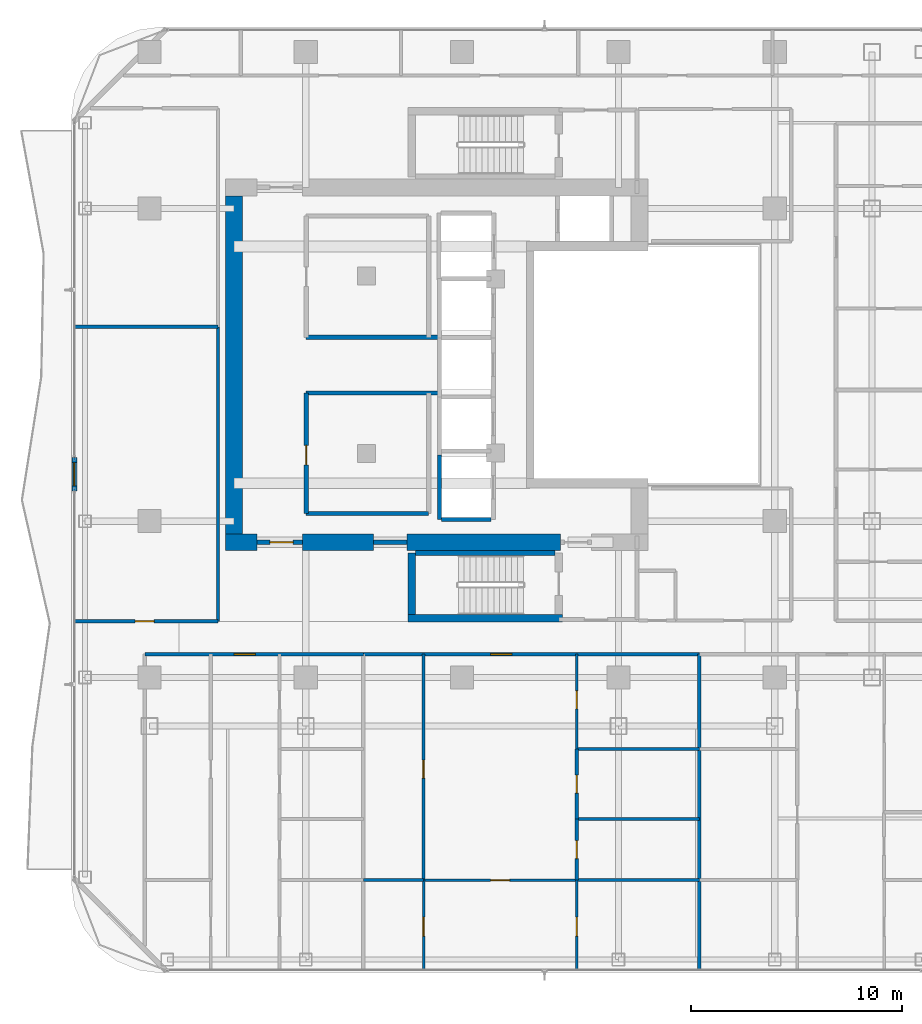
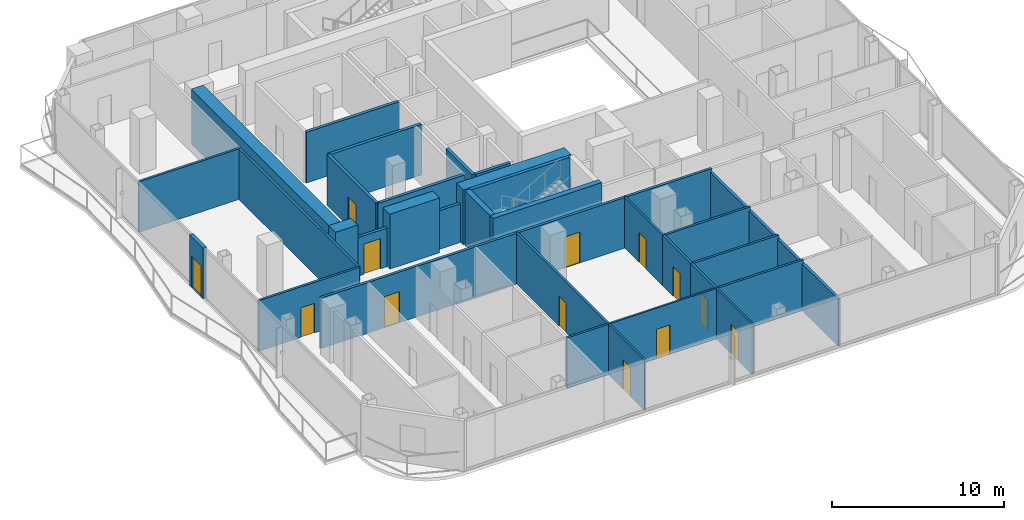
# One storey, part 20 of 27: 33 walls, 13 doors, 13 openings.
"""IFC4 building model written with IfcOpenShell, lengths in metres."""

from ifc_helpers import new_model, si_unit, direction, frame, frame_2d, origin, place, context, subcontext, project, spatial, rectangle, extrude, material, layer, layer_set, type_object, element, fill, save


model = new_model("IFC4")

# Units and contexts
model_context = context("Model", 3, precision=1e-05, world=origin(), true_north=direction((0.0, 1.0)))
body_context = subcontext(model_context, "Body", "Model", "MODEL_VIEW")
ifc_project = project(units=[si_unit("LENGTHUNIT", "METRE"), si_unit("AREAUNIT", "SQUARE_METRE"), si_unit("VOLUMEUNIT", "CUBIC_METRE"), si_unit("PLANEANGLEUNIT", "RADIAN"), si_unit("MASSUNIT", "GRAM", prefix="KILO")], contexts=[model_context])

# Site, building, storey
site_placement = place(None, origin())
site = spatial("IfcSite", under=ifc_project, at=site_placement, CompositionType="ELEMENT")
building_placement = place(site_placement, origin())
building = spatial("IfcBuilding", under=site, at=building_placement, Name="Khorvyn Point Tower", CompositionType="ELEMENT")
storey_placement = place(building_placement, frame((0.0, 0.0, 231.300048828125)))
storey = spatial("IfcBuildingStorey", under=building, at=storey_placement, Name="L57", CompositionType="ELEMENT", Elevation=231.300048828125)

# Wall, opening, door
ifc_material_1 = material(Name="Double acoustic gypsum on twin steel stud", Category="steel")
ifc_layer_1 = layer(ifc_material_1, 0.179931640625)
ifc_layer_set_1 = layer_set([ifc_layer_1], Name="Acoustic Double-Stud Apartment Demising Wall 180")
wall_type_1 = type_object("IfcWallType", Name="Acoustic Double-Stud Apartment Demising Wall 180", PredefinedType="PARTITIONING", material=ifc_layer_set_1)
wall_1_placement = place(storey_placement, frame((-15.02001953125, -13.699951171875, 0.0), z_axis=(0.0, 0.0, 1.0), x_axis=(1.0, 0.0, 0.0)))
wall_1 = element("IfcWall", 1, at=wall_1_placement, inside=storey, type_object=wall_type_1, Name="Wall", PredefinedType="PARTITIONING", context=body_context, shape_type="SweptSolid", body=[
    extrude(rectangle(XDim=10.343017578125, YDim=0.179931640625, at=frame_2d((5.17138671875, 0.0))), origin(), (0.0, 0.0, 1.0), 3.599853515625),
])
opening_1_placement = place(wall_1_placement, frame((4.229248046875, 0.0, 0.0)))
opening_1 = element("IfcOpeningElement", 2, at=opening_1_placement, cuts=wall_1, Name="Opening ID-AP60", PredefinedType="OPENING", context=body_context, shape_type="SweptSolid", body=[
    extrude(rectangle(XDim=1.0, YDim=2.199951171875, at=frame_2d((0.5, 1.10009765625))), frame((0.0, 0.099853515625, 0.0), z_axis=(0.0, -1.0, 0.0), x_axis=(1.0, 0.0, 0.0)), (0.0, 0.0, 1.0), 0.199951171875),
])
ifc_material_2 = material(Name="Engineered hardwood fire-rated leaf", Category="wood")
door_type_1 = type_object("IfcDoorType", Name="Acoustic Solid-Core Timber Apartment Entrance Door 1000x2200", OperationType="NOTDEFINED", PredefinedType="DOOR", material=ifc_material_2)
door_1_placement = place(opening_1_placement, origin())
door_1 = element("IfcDoor", 3, at=door_1_placement, inside=storey, type_object=door_type_1, Name="Door", OperationType="SINGLE_SWING_RIGHT", OverallHeight=2.199951171875, OverallWidth=1.0, PredefinedType="DOOR", context=body_context, shape_type="SweptSolid", body=[
    extrude(rectangle(XDim=1.0, YDim=2.199951171875, at=frame_2d((0.5, 1.10009765625))), frame((0.0, 0.02490234375, 0.0), z_axis=(0.0, -1.0, 0.0), x_axis=(1.0, 0.0, 0.0)), (0.0, 0.0, 1.0), 0.050048828125),
])
fill(opening_1, door_1)

wall_2_placement = place(storey_placement, frame((-4.677001953125, -13.699951171875, 0.0), z_axis=(0.0, 0.0, 1.0), x_axis=(1.0, 0.0, 0.0)))
wall_2 = element("IfcWall", 4, at=wall_2_placement, inside=storey, type_object=wall_type_1, Name="Wall", PredefinedType="PARTITIONING", context=body_context, shape_type="SweptSolid", body=[
    extrude(rectangle(XDim=15.905029296875, YDim=0.179931640625, at=frame_2d((7.95263671875, 0.0))), origin(), (0.0, 0.0, 1.0), 3.599853515625),
])
opening_2_placement = place(wall_2_placement, frame((6.029541015625, 0.0, 0.0)))
opening_2 = element("IfcOpeningElement", 5, at=opening_2_placement, cuts=wall_2, Name="Opening ID-AP60", PredefinedType="OPENING", context=body_context, shape_type="SweptSolid", body=[
    extrude(rectangle(XDim=1.0, YDim=2.199951171875, at=frame_2d((0.5, 1.10009765625))), frame((0.0, 0.099853515625, 0.0), z_axis=(0.0, -1.0, 0.0), x_axis=(1.0, 0.0, 0.0)), (0.0, 0.0, 1.0), 0.199951171875),
])
door_2_placement = place(opening_2_placement, origin())
door_2 = element("IfcDoor", 6, at=door_2_placement, inside=storey, type_object=door_type_1, Name="Door", OperationType="SINGLE_SWING_LEFT", OverallHeight=2.199951171875, OverallWidth=1.0, PredefinedType="DOOR", context=body_context, shape_type="SweptSolid", body=[
    extrude(rectangle(XDim=1.0, YDim=2.199951171875, at=frame_2d((0.5, 1.10009765625))), frame((0.0, 0.02490234375, 0.0), z_axis=(0.0, -1.0, 0.0), x_axis=(1.0, 0.0, 0.0)), (0.0, 0.0, 1.0), 0.050048828125),
])
fill(opening_2, door_2)

# Wall
wall_3_placement = place(storey_placement, frame((11.22802734375, -28.6298828125, 0.0), z_axis=(0.0, 0.0, 1.0), x_axis=(0.0, 1.0, 0.0)))
element("IfcWall", 7, at=wall_3_placement, inside=storey, type_object=wall_type_1, Name="Wall", PredefinedType="PARTITIONING", context=body_context, shape_type="SweptSolid", body=[
    extrude(rectangle(XDim=14.929931640625, YDim=0.179931640625, at=frame_2d((7.46484375, 0.0))), origin(), (0.0, 0.0, 1.0), 3.33984375),
])

# Wall, opening, door
ifc_material_3 = material(Name="Pale anodised aluminium rainscreen on steel stud", Category="steel")
ifc_layer_2 = layer(ifc_material_3, 0.239990234375)
ifc_layer_set_2 = layer_set([ifc_layer_2], Name="Anodised Aluminium Insulated Corner Spandrel Wall 240")
wall_type_2 = type_object("IfcWallType", Name="Anodised Aluminium Insulated Corner Spandrel Wall 240", PredefinedType="SOLIDWALL", material=ifc_layer_set_2)
wall_4_placement = place(storey_placement, frame((-18.35009765625, -5.969970703125, 0.0), z_axis=(0.0, 0.0, 1.0), x_axis=(0.0, 1.0, 0.0)))
wall_4 = element("IfcWall", 8, at=wall_4_placement, inside=storey, type_object=wall_type_2, Name="L57 West Outdoor Threshold Wall", PredefinedType="SOLIDWALL", context=body_context, shape_type="SweptSolid", body=[
    extrude(rectangle(XDim=1.580078125, YDim=0.239990234375, at=frame_2d((0.7900390625, 0.0))), origin(), (0.0, 0.0, 1.0), 3.599853515625),
])
opening_3_placement = place(wall_4_placement, frame((0.239990234375, 0.0, 0.0)))
opening_3 = element("IfcOpeningElement", 9, at=opening_3_placement, cuts=wall_4, Name="Opening BD-1122", PredefinedType="OPENING", context=body_context, shape_type="SweptSolid", body=[
    extrude(rectangle(XDim=1.10009765625, YDim=2.199951171875, at=frame_2d((0.550048828125, 1.10009765625))), frame((0.0, 0.1298828125, 0.0), z_axis=(0.0, -1.0, 0.0), x_axis=(1.0, 0.0, 0.0)), (0.0, 0.0, 1.0), 0.260009765625),
])
ifc_material_4 = material(Name="Anodised aluminium 6063-T6 and laminated Low-E glass", Category="aluminium")
door_type_2 = type_object("IfcDoorType", Name="Glazed Balcony and Terrace Threshold Door 1100x2200", OperationType="NOTDEFINED", PredefinedType="DOOR", material=ifc_material_4)
door_3_placement = place(opening_3_placement, origin())
door_3 = element("IfcDoor", 10, at=door_3_placement, inside=storey, type_object=door_type_2, Name="L57 West Glazed Balcony Outdoor Door", OperationType="SINGLE_SWING_RIGHT", OverallHeight=2.199951171875, OverallWidth=1.10009765625, PredefinedType="DOOR", context=body_context, shape_type="SweptSolid", body=[
    extrude(rectangle(XDim=1.10009765625, YDim=2.199951171875, at=frame_2d((0.550048828125, 1.10009765625))), frame((0.0, 0.02490234375, 0.0), z_axis=(0.0, -1.0, 0.0), x_axis=(1.0, 0.0, 0.0)), (0.0, 0.0, 1.0), 0.050048828125),
])
fill(opening_3, door_3)

ifc_material_5 = material(Name="Concrete C40/50", Category="concrete")
ifc_layer_3 = layer(ifc_material_5, 0.199951171875)
ifc_layer_set_3 = layer_set([ifc_layer_3], Name="Concrete C40/50 Fire-Lobby Compartment Wall 200")
wall_type_3 = type_object("IfcWallType", Name="Concrete C40/50 Fire-Lobby Compartment Wall 200", PredefinedType="SOLIDWALL", material=ifc_layer_set_3)
wall_5_placement = place(storey_placement, frame((-9.699951171875, -8.39990234375, 0.0), z_axis=(0.0, 0.0, 1.0), x_axis=(1.0, 0.0, 0.0)))
wall_5 = element("IfcWall", 11, at=wall_5_placement, inside=storey, type_object=wall_type_3, Name="Wall", PredefinedType="SOLIDWALL", context=body_context, shape_type="SweptSolid", body=[
    extrude(rectangle(XDim=2.14990234375, YDim=0.199951171875, at=frame_2d((1.074951171875, 0.0))), origin(), (0.0, 0.0, 1.0), 2.739990234375),
])
opening_4_placement = place(wall_5_placement, frame((0.597900390625, 0.0, 0.0)))
opening_4 = element("IfcOpeningElement", 12, at=opening_4_placement, cuts=wall_5, Name="Opening ID-FL90", PredefinedType="OPENING", context=body_context, shape_type="SweptSolid", body=[
    extrude(rectangle(XDim=1.10009765625, YDim=2.14990234375, at=frame_2d((0.550048828125, 1.074951171875))), frame((0.0, 0.10986328125, 0.0), z_axis=(0.0, -1.0, 0.0), x_axis=(1.0, 0.0, 0.0)), (0.0, 0.0, 1.0), 0.219970703125),
])
ifc_material_6 = material(Name="Galvanised powder-coated steel", Category="steel")
door_type_3 = type_object("IfcDoorType", Name="Fire-Rated Steel Lobby and Stair Door 1100x2150", OperationType="NOTDEFINED", PredefinedType="DOOR", material=ifc_material_6)
door_4_placement = place(opening_4_placement, origin())
door_4 = element("IfcDoor", 13, at=door_4_placement, inside=storey, type_object=door_type_3, Name="Door", OperationType="SINGLE_SWING_RIGHT", OverallHeight=2.14990234375, OverallWidth=1.10009765625, PredefinedType="DOOR", context=body_context, shape_type="SweptSolid", body=[
    extrude(rectangle(XDim=1.10009765625, YDim=2.14990234375, at=frame_2d((0.550048828125, 1.074951171875))), frame((0.0, 0.02490234375, 0.0), z_axis=(0.0, -1.0, 0.0), x_axis=(1.0, 0.0, 0.0)), (0.0, 0.0, 1.0), 0.050048828125),
])
fill(opening_4, door_4)

wall_6_placement = place(storey_placement, frame((-7.3798828125, -7.0400390625, 0.0), z_axis=(0.0, 0.0, 1.0), x_axis=(0.0, 1.0, 0.0)))
wall_6 = element("IfcWall", 14, at=wall_6_placement, inside=storey, type_object=wall_type_3, Name="Wall", PredefinedType="SOLIDWALL", context=body_context, shape_type="SweptSolid", body=[
    extrude(rectangle(XDim=5.699951171875, YDim=0.199951171875, at=frame_2d((2.85009765625, 0.0))), origin(), (0.0, 0.0, 1.0), 3.599853515625),
])
opening_5_placement = place(wall_6_placement, frame((2.30078125, 0.0, 0.0)))
opening_5 = element("IfcOpeningElement", 15, at=opening_5_placement, cuts=wall_6, Name="Opening ID-RS60", PredefinedType="OPENING", context=body_context, shape_type="SweptSolid", body=[
    extrude(rectangle(XDim=0.919921875, YDim=2.10009765625, at=frame_2d((0.4599609375, 1.050048828125))), frame((0.0, 0.10986328125, 0.0), z_axis=(0.0, -1.0, 0.0), x_axis=(1.0, 0.0, 0.0)), (0.0, 0.0, 1.0), 0.219970703125),
])
door_type_4 = type_object("IfcDoorType", Name="Fire-Rated Riser and Store Steel Door 920x2100", OperationType="NOTDEFINED", PredefinedType="DOOR", material=ifc_material_6)
door_5_placement = place(opening_5_placement, origin())
door_5 = element("IfcDoor", 16, at=door_5_placement, inside=storey, type_object=door_type_4, Name="Door", OperationType="SINGLE_SWING_RIGHT", OverallHeight=2.10009765625, OverallWidth=0.919921875, PredefinedType="DOOR", context=body_context, shape_type="SweptSolid", body=[
    extrude(rectangle(XDim=0.919921875, YDim=2.10009765625, at=frame_2d((0.4599609375, 1.050048828125))), frame((0.0, 0.02490234375, 0.0), z_axis=(0.0, -1.0, 0.0), x_axis=(1.0, 0.0, 0.0)), (0.0, 0.0, 1.0), 0.050048828125),
])
fill(opening_5, door_5)

# Walls
wall_7_placement = place(storey_placement, frame((-4.199951171875, -8.39990234375, 0.0), z_axis=(0.0, 0.0, 1.0), x_axis=(1.0, 0.0, 0.0)))
element("IfcWall", 17, at=wall_7_placement, inside=storey, type_object=wall_type_3, Name="Wall", PredefinedType="SOLIDWALL", context=body_context, shape_type="SweptSolid", body=[
    extrude(rectangle(XDim=1.579833984375, YDim=0.199951171875, at=frame_2d((0.7900390625, 0.0))), origin(), (0.0, 0.0, 1.0), 2.739990234375),
])
for number, where, z_axis, x_axis, name in (
    (18, (-7.3798828125, -1.340087890625, 0.0), (0.0, 0.0, 1.0), (1.0, 0.0, 0.0), "Wall"),
    (19, (-7.3798828125, 1.300048828125, 0.0), (0.0, 0.0, 1.0), (1.0, 0.0, 0.0), "Wall"),
):
    element("IfcWall", number, at=place(storey_placement, frame(where, z_axis=z_axis, x_axis=x_axis)), inside=storey, type_object=wall_type_3, Name=name, PredefinedType="SOLIDWALL", context=body_context, shape_type="SweptSolid", body=[
        extrude(rectangle(XDim=6.239990234375, YDim=0.199951171875, at=frame_2d((3.1201171875, 0.0))), origin(), (0.0, 0.0, 1.0), 3.599853515625),
    ])
wall_8_placement = place(storey_placement, frame((-7.3798828125, -7.0400390625, 0.0), z_axis=(0.0, 0.0, 1.0), x_axis=(1.0, 0.0, 0.0)))
element("IfcWall", 20, at=wall_8_placement, inside=storey, type_object=wall_type_3, Name="Wall", PredefinedType="SOLIDWALL", context=body_context, shape_type="SweptSolid", body=[
    extrude(rectangle(XDim=5.7998046875, YDim=0.199951171875, at=frame_2d((2.89990234375, 0.0))), origin(), (0.0, 0.0, 1.0), 3.599853515625),
])
ifc_layer_4 = layer(ifc_material_5, 0.25)
ifc_layer_set_4 = layer_set([ifc_layer_4], Name="Concrete C40/50 Stair Inner Cheek Structural Wall 250")
wall_type_4 = type_object("IfcWallType", Name="Concrete C40/50 Stair Inner Cheek Structural Wall 250", PredefinedType="SHEAR", material=ifc_layer_set_4)
wall_9_placement = place(storey_placement, frame((-2.199951171875, -8.91259765625, 0.0), z_axis=(0.0, 0.0, 1.0), x_axis=(1.0, 0.0, 0.0)))
element("IfcWall", 21, at=wall_9_placement, inside=storey, type_object=wall_type_4, Name="Wall", PredefinedType="SHEAR", context=body_context, shape_type="SweptSolid", body=[
    extrude(rectangle(XDim=6.599853515625, YDim=0.22509765625, at=frame_2d((3.2998046875, 0.0))), origin(), (0.0, 0.0, 1.0), 3.89990234375),
])
ifc_layer_5 = layer(ifc_material_5, 0.35009765625)
ifc_layer_set_5 = layer_set([ifc_layer_5], Name="Concrete C40/50 Stair Shaft Structural Wall 350")
wall_type_5 = type_object("IfcWallType", Name="Concrete C40/50 Stair Shaft Structural Wall 350", PredefinedType="SHEAR", material=ifc_layer_set_5)
wall_10_placement = place(storey_placement, frame((-2.554931640625, -12.0, 0.0), z_axis=(0.0, 0.0, 1.0), x_axis=(1.0, 0.0, 0.0)))
element("IfcWall", 22, at=wall_10_placement, inside=storey, type_object=wall_type_5, Name="L57 ST-01 South Shaft Wall", PredefinedType="SHEAR", context=body_context, shape_type="SweptSolid", body=[
    extrude(rectangle(XDim=7.309814453125, YDim=0.35009765625, at=frame_2d((3.65478515625, 0.0))), origin(), (0.0, 0.0, 1.0), 3.89990234375),
])
wall_11_placement = place(storey_placement, frame((-2.3798828125, -11.824951171875, 0.0), z_axis=(0.0, 0.0, 1.0), x_axis=(0.0, 1.0, 0.0)))
element("IfcWall", 23, at=wall_11_placement, inside=storey, type_object=wall_type_5, Name="L57 ST-01 West Shaft Wall", PredefinedType="SHEAR", context=body_context, shape_type="SweptSolid", body=[
    extrude(rectangle(XDim=2.925048828125, YDim=0.35009765625, at=frame_2d((1.46240234375, 0.0))), origin(), (0.0, 0.0, 1.0), 3.89990234375),
])
ifc_layer_6 = layer(ifc_material_5, 0.199951171875)
ifc_layer_set_6 = layer_set([ifc_layer_6], Name="Concrete C40/50 Structural Hoistway and Stair Shaft Wall 200")
wall_type_6 = type_object("IfcWallType", Name="Concrete C40/50 Structural Hoistway and Stair Shaft Wall 200", PredefinedType="SHEAR", material=ifc_layer_set_6)
wall_12_placement = place(storey_placement, frame((-1.074951171875, -7.324951171875, 0.0), z_axis=(0.0, 0.0, 1.0), x_axis=(0.0, 1.0, 0.0)))
element("IfcWall", 24, at=wall_12_placement, inside=storey, type_object=wall_type_6, Name="Wall", PredefinedType="SHEAR", context=body_context, shape_type="SweptSolid", body=[
    extrude(rectangle(XDim=3.050048828125, YDim=0.199951171875, at=frame_2d((1.52490234375, 0.0))), origin(), (0.0, 0.0, 1.0), 3.599853515625),
])
wall_13_placement = place(storey_placement, frame((-0.97509765625, -7.324951171875, 0.0), z_axis=(0.0, 0.0, 1.0), x_axis=(1.0, 0.0, 0.0)))
element("IfcWall", 25, at=wall_13_placement, inside=storey, type_object=wall_type_6, Name="Wall", PredefinedType="SHEAR", context=body_context, shape_type="SweptSolid", body=[
    extrude(rectangle(XDim=2.35009765625, YDim=0.199951171875, at=frame_2d((1.175048828125, 0.0))), origin(), (0.0, 0.0, 1.0), 3.599853515625),
])
ifc_material_7 = material(Name="Concrete C45/55", Category="concrete")
ifc_layer_7 = layer(ifc_material_7, 0.800048828125)
ifc_layer_set_7 = layer_set([ifc_layer_7], Name="Concrete C45/55 Core Shear Wall 800")
wall_type_7 = type_object("IfcWallType", Name="Concrete C45/55 Core Shear Wall 800", PredefinedType="SHEAR", material=ifc_layer_set_7)
wall_14_placement = place(storey_placement, frame((-11.199951171875, -8.39990234375, 0.0), z_axis=(0.0, 0.0, 1.0), x_axis=(1.0, 0.0, 0.0)))
element("IfcWall", 26, at=wall_14_placement, inside=storey, type_object=wall_type_7, Name="Wall", PredefinedType="SHEAR", context=body_context, shape_type="SweptSolid", body=[
    extrude(rectangle(XDim=1.5, YDim=0.800048828125, at=frame_2d((0.75, 0.0))), origin(), (0.0, 0.0, 1.0), 3.89990234375),
])
wall_15_placement = place(storey_placement, frame((-7.550048828125, -8.39990234375, 0.0), z_axis=(0.0, 0.0, 1.0), x_axis=(1.0, 0.0, 0.0)))
element("IfcWall", 27, at=wall_15_placement, inside=storey, type_object=wall_type_7, Name="Wall", PredefinedType="SHEAR", context=body_context, shape_type="SweptSolid", body=[
    extrude(rectangle(XDim=3.35009765625, YDim=0.800048828125, at=frame_2d((1.675048828125, 0.0))), origin(), (0.0, 0.0, 1.0), 3.89990234375),
])
wall_16_placement = place(storey_placement, frame((-2.6201171875, -8.39990234375, 0.0), z_axis=(0.0, 0.0, 1.0), x_axis=(1.0, 0.0, 0.0)))
element("IfcWall", 28, at=wall_16_placement, inside=storey, type_object=wall_type_7, Name="Wall", PredefinedType="SHEAR", context=body_context, shape_type="SweptSolid", body=[
    extrude(rectangle(XDim=7.27001953125, YDim=0.800048828125, at=frame_2d((3.635009765625, 0.0))), origin(), (0.0, 0.0, 1.0), 3.89990234375),
])
wall_17_placement = place(storey_placement, frame((-10.800048828125, -8.0, 0.0), z_axis=(0.0, 0.0, 1.0), x_axis=(0.0, 1.0, 0.0)))
element("IfcWall", 29, at=wall_17_placement, inside=storey, type_object=wall_type_7, Name="Wall", PredefinedType="SHEAR", context=body_context, shape_type="SweptSolid", body=[
    extrude(rectangle(XDim=16.0, YDim=0.800048828125, at=frame_2d((8.0, 0.0))), origin(), (0.0, 0.0, 1.0), 3.89990234375),
])

# Wall, opening, door
ifc_material_8 = material(Name="Gypsum plasterboard on steel stud", Category="steel")
ifc_layer_8 = layer(ifc_material_8, 0.1201171875)
ifc_layer_set_8 = layer_set([ifc_layer_8], Name="Gypsum Acoustic Stud Room Partition Wall 120")
wall_type_8 = type_object("IfcWallType", Name="Gypsum Acoustic Stud Room Partition Wall 120", PredefinedType="PARTITIONING", material=ifc_layer_set_8)
wall_18_placement = place(storey_placement, frame((-1.826904296875, -24.389892578125, 0.0), z_axis=(0.0, 0.0, 1.0), x_axis=(1.0, 0.0, 0.0)))
wall_18 = element("IfcWall", 30, at=wall_18_placement, inside=storey, type_object=wall_type_8, Name="Wall", PredefinedType="PARTITIONING", context=body_context, shape_type="SweptSolid", body=[
    extrude(rectangle(XDim=7.251953125, YDim=0.1201171875, at=frame_2d((3.6259765625, 0.0))), origin(), (0.0, 0.0, 1.0), 3.599853515625),
])
opening_6_placement = place(wall_18_placement, frame((3.176025390625, 0.0, 0.0)))
opening_6 = element("IfcOpeningElement", 31, at=opening_6_placement, cuts=wall_18, Name="Opening ID-RM90", PredefinedType="OPENING", context=body_context, shape_type="SweptSolid", body=[
    extrude(rectangle(XDim=0.89990234375, YDim=2.10009765625, at=frame_2d((0.449951171875, 1.050048828125))), frame((0.0, 0.070068359375, 0.0), z_axis=(0.0, -1.0, 0.0), x_axis=(1.0, 0.0, 0.0)), (0.0, 0.0, 1.0), 0.14013671875),
])
ifc_material_9 = material(Name="Engineered oak veneer timber", Category="wood")
door_type_5 = type_object("IfcDoorType", Name="Flush Engineered Timber Room Door 900x2100", OperationType="NOTDEFINED", PredefinedType="DOOR", material=ifc_material_9)
door_6_placement = place(opening_6_placement, origin())
door_6 = element("IfcDoor", 32, at=door_6_placement, inside=storey, type_object=door_type_5, Name="Door", OperationType="SINGLE_SWING_RIGHT", OverallHeight=2.10009765625, OverallWidth=0.89990234375, PredefinedType="DOOR", context=body_context, shape_type="SweptSolid", body=[
    extrude(rectangle(XDim=0.89990234375, YDim=2.10009765625, at=frame_2d((0.449951171875, 1.050048828125))), frame((0.0, 0.02490234375, 0.0), z_axis=(0.0, -1.0, 0.0), x_axis=(1.0, 0.0, 0.0)), (0.0, 0.0, 1.0), 0.050048828125),
])
fill(opening_6, door_6)

wall_19_placement = place(storey_placement, frame((-1.826904296875, -28.6298828125, 0.0), z_axis=(0.0, 0.0, 1.0), x_axis=(0.0, 1.0, 0.0)))
wall_19 = element("IfcWall", 33, at=wall_19_placement, inside=storey, type_object=wall_type_8, Name="Wall", PredefinedType="PARTITIONING", context=body_context, shape_type="SweptSolid", body=[
    extrude(rectangle(XDim=4.239990234375, YDim=0.1201171875, at=frame_2d((2.1201171875, 0.0))), origin(), (0.0, 0.0, 1.0), 3.599853515625),
])
opening_7_placement = place(wall_19_placement, frame((1.581298828125, 0.0, 0.0)))
opening_7 = element("IfcOpeningElement", 34, at=opening_7_placement, cuts=wall_19, Name="Opening ID-RM90", PredefinedType="OPENING", context=body_context, shape_type="SweptSolid", body=[
    extrude(rectangle(XDim=0.89990234375, YDim=2.10009765625, at=frame_2d((0.449951171875, 1.050048828125))), frame((0.0, 0.070068359375, 0.0), z_axis=(0.0, -1.0, 0.0), x_axis=(1.0, 0.0, 0.0)), (0.0, 0.0, 1.0), 0.14013671875),
])
door_7_placement = place(opening_7_placement, origin())
door_7 = element("IfcDoor", 35, at=door_7_placement, inside=storey, type_object=door_type_5, Name="Door", OperationType="SINGLE_SWING_RIGHT", OverallHeight=2.10009765625, OverallWidth=0.89990234375, PredefinedType="DOOR", context=body_context, shape_type="SweptSolid", body=[
    extrude(rectangle(XDim=0.89990234375, YDim=2.10009765625, at=frame_2d((0.449951171875, 1.050048828125))), frame((0.0, 0.02490234375, 0.0), z_axis=(0.0, -1.0, 0.0), x_axis=(1.0, 0.0, 0.0)), (0.0, 0.0, 1.0), 0.050048828125),
])
fill(opening_7, door_7)

wall_20_placement = place(storey_placement, frame((5.425048828125, -18.18994140625, 0.0), z_axis=(0.0, 0.0, 1.0), x_axis=(0.0, 1.0, 0.0)))
wall_20 = element("IfcWall", 36, at=wall_20_placement, inside=storey, type_object=wall_type_8, Name="Wall", PredefinedType="PARTITIONING", context=body_context, shape_type="SweptSolid", body=[
    extrude(rectangle(XDim=4.489990234375, YDim=0.1201171875, at=frame_2d((2.2451171875, 0.0))), origin(), (0.0, 0.0, 1.0), 3.599853515625),
])
opening_8_placement = place(wall_20_placement, frame((1.907470703125, 0.0, 0.0)))
opening_8 = element("IfcOpeningElement", 37, at=opening_8_placement, cuts=wall_20, Name="Opening ID-WC85", PredefinedType="OPENING", context=body_context, shape_type="SweptSolid", body=[
    extrude(rectangle(XDim=0.85009765625, YDim=2.10009765625, at=frame_2d((0.425048828125, 1.050048828125))), frame((0.0, 0.070068359375, 0.0), z_axis=(0.0, -1.0, 0.0), x_axis=(1.0, 0.0, 0.0)), (0.0, 0.0, 1.0), 0.14013671875),
])
ifc_material_10 = material(Name="High-pressure laminate on moisture-resistant core", Category="wood")
door_type_6 = type_object("IfcDoorType", Name="Moisture-Resistant Accessible Washroom Door 850x2100", OperationType="NOTDEFINED", PredefinedType="DOOR", material=ifc_material_10)
door_8_placement = place(opening_8_placement, origin())
door_8 = element("IfcDoor", 38, at=door_8_placement, inside=storey, type_object=door_type_6, Name="Door", OperationType="SINGLE_SWING_LEFT", OverallHeight=2.10009765625, OverallWidth=0.85009765625, PredefinedType="DOOR", context=body_context, shape_type="SweptSolid", body=[
    extrude(rectangle(XDim=0.85009765625, YDim=2.10009765625, at=frame_2d((0.425048828125, 1.050048828125))), frame((0.0, 0.02490234375, 0.0), z_axis=(0.0, -1.0, 0.0), x_axis=(1.0, 0.0, 0.0)), (0.0, 0.0, 1.0), 0.050048828125),
])
fill(opening_8, door_8)

wall_21_placement = place(storey_placement, frame((5.425048828125, -28.6298828125, 0.0), z_axis=(0.0, 0.0, 1.0), x_axis=(0.0, 1.0, 0.0)))
wall_21 = element("IfcWall", 39, at=wall_21_placement, inside=storey, type_object=wall_type_8, Name="Wall", PredefinedType="PARTITIONING", context=body_context, shape_type="SweptSolid", body=[
    extrude(rectangle(XDim=4.239990234375, YDim=0.1201171875, at=frame_2d((2.1201171875, 0.0))), origin(), (0.0, 0.0, 1.0), 3.599853515625),
])
opening_9_placement = place(wall_21_placement, frame((1.581298828125, 0.0, 0.0)))
opening_9 = element("IfcOpeningElement", 40, at=opening_9_placement, cuts=wall_21, Name="Opening ID-RM90", PredefinedType="OPENING", context=body_context, shape_type="SweptSolid", body=[
    extrude(rectangle(XDim=0.89990234375, YDim=2.10009765625, at=frame_2d((0.449951171875, 1.050048828125))), frame((0.0, 0.070068359375, 0.0), z_axis=(0.0, -1.0, 0.0), x_axis=(1.0, 0.0, 0.0)), (0.0, 0.0, 1.0), 0.14013671875),
])
door_9_placement = place(opening_9_placement, origin())
door_9 = element("IfcDoor", 41, at=door_9_placement, inside=storey, type_object=door_type_5, Name="Door", OperationType="SINGLE_SWING_RIGHT", OverallHeight=2.10009765625, OverallWidth=0.89990234375, PredefinedType="DOOR", context=body_context, shape_type="SweptSolid", body=[
    extrude(rectangle(XDim=0.89990234375, YDim=2.10009765625, at=frame_2d((0.449951171875, 1.050048828125))), frame((0.0, 0.02490234375, 0.0), z_axis=(0.0, -1.0, 0.0), x_axis=(1.0, 0.0, 0.0)), (0.0, 0.0, 1.0), 0.050048828125),
])
fill(opening_9, door_9)

ifc_material_11 = material(Name="Moisture-resistant gypsum and cement board", Category="gypsum")
ifc_layer_9 = layer(ifc_material_11, 0.14990234375)
ifc_layer_set_9 = layer_set([ifc_layer_9], Name="Moisture-Resistant Wet-Room Partition Wall 150")
wall_type_9 = type_object("IfcWallType", Name="Moisture-Resistant Wet-Room Partition Wall 150", PredefinedType="PARTITIONING", material=ifc_layer_set_9)
wall_22_placement = place(storey_placement, frame((-1.826904296875, -24.389892578125, 0.0), z_axis=(0.0, 0.0, 1.0), x_axis=(0.0, 1.0, 0.0)))
wall_22 = element("IfcWall", 42, at=wall_22_placement, inside=storey, type_object=wall_type_9, Name="Wall", PredefinedType="PARTITIONING", context=body_context, shape_type="SweptSolid", body=[
    extrude(rectangle(XDim=10.68994140625, YDim=0.14990234375, at=frame_2d((5.344970703125, 0.0))), origin(), (0.0, 0.0, 1.0), 3.599853515625),
])
opening_10_placement = place(wall_22_placement, frame((4.830078125, 0.0, 0.0)))
opening_10 = element("IfcOpeningElement", 43, at=opening_10_placement, cuts=wall_22, Name="Opening ID-WC85", PredefinedType="OPENING", context=body_context, shape_type="SweptSolid", body=[
    extrude(rectangle(XDim=0.85009765625, YDim=2.10009765625, at=frame_2d((0.425048828125, 1.050048828125))), frame((0.0, 0.0849609375, 0.0), z_axis=(0.0, -1.0, 0.0), x_axis=(1.0, 0.0, 0.0)), (0.0, 0.0, 1.0), 0.169921875),
])
door_10_placement = place(opening_10_placement, origin())
door_10 = element("IfcDoor", 44, at=door_10_placement, inside=storey, type_object=door_type_6, Name="Door", OperationType="SINGLE_SWING_LEFT", OverallHeight=2.10009765625, OverallWidth=0.85009765625, PredefinedType="DOOR", context=body_context, shape_type="SweptSolid", body=[
    extrude(rectangle(XDim=0.85009765625, YDim=2.10009765625, at=frame_2d((0.425048828125, 1.050048828125))), frame((0.0, 0.02490234375, 0.0), z_axis=(0.0, -1.0, 0.0), x_axis=(1.0, 0.0, 0.0)), (0.0, 0.0, 1.0), 0.050048828125),
])
fill(opening_10, door_10)

wall_23_placement = place(storey_placement, frame((5.425048828125, -24.389892578125, 0.0), z_axis=(0.0, 0.0, 1.0), x_axis=(0.0, 1.0, 0.0)))
wall_23 = element("IfcWall", 45, at=wall_23_placement, inside=storey, type_object=wall_type_9, Name="Wall", PredefinedType="PARTITIONING", context=body_context, shape_type="SweptSolid", body=[
    extrude(rectangle(XDim=2.885986328125, YDim=0.14990234375, at=frame_2d((1.44287109375, 0.0))), origin(), (0.0, 0.0, 1.0), 3.599853515625),
])
opening_11_placement = place(wall_23_placement, frame((1.01806640625, 0.0, 0.0)))
opening_11 = element("IfcOpeningElement", 46, at=opening_11_placement, cuts=wall_23, Name="Opening ID-WC85", PredefinedType="OPENING", context=body_context, shape_type="SweptSolid", body=[
    extrude(rectangle(XDim=0.85009765625, YDim=2.10009765625, at=frame_2d((0.425048828125, 1.050048828125))), frame((0.0, 0.0849609375, 0.0), z_axis=(0.0, -1.0, 0.0), x_axis=(1.0, 0.0, 0.0)), (0.0, 0.0, 1.0), 0.169921875),
])
door_11_placement = place(opening_11_placement, origin())
door_11 = element("IfcDoor", 47, at=door_11_placement, inside=storey, type_object=door_type_6, Name="Door", OperationType="SINGLE_SWING_LEFT", OverallHeight=2.10009765625, OverallWidth=0.85009765625, PredefinedType="DOOR", context=body_context, shape_type="SweptSolid", body=[
    extrude(rectangle(XDim=0.85009765625, YDim=2.10009765625, at=frame_2d((0.425048828125, 1.050048828125))), frame((0.0, 0.02490234375, 0.0), z_axis=(0.0, -1.0, 0.0), x_axis=(1.0, 0.0, 0.0)), (0.0, 0.0, 1.0), 0.050048828125),
])
fill(opening_11, door_11)

wall_24_placement = place(storey_placement, frame((5.425048828125, -21.50390625, 0.0), z_axis=(0.0, 0.0, 1.0), x_axis=(0.0, 1.0, 0.0)))
wall_24 = element("IfcWall", 48, at=wall_24_placement, inside=storey, type_object=wall_type_9, Name="Wall", PredefinedType="PARTITIONING", context=body_context, shape_type="SweptSolid", body=[
    extrude(rectangle(XDim=3.31396484375, YDim=0.14990234375, at=frame_2d((1.656982421875, 0.0))), origin(), (0.0, 0.0, 1.0), 3.599853515625),
])
opening_12_placement = place(wall_24_placement, frame((1.23193359375, 0.0, 0.0)))
opening_12 = element("IfcOpeningElement", 49, at=opening_12_placement, cuts=wall_24, Name="Opening ID-WC85", PredefinedType="OPENING", context=body_context, shape_type="SweptSolid", body=[
    extrude(rectangle(XDim=0.85009765625, YDim=2.10009765625, at=frame_2d((0.425048828125, 1.050048828125))), frame((0.0, 0.0849609375, 0.0), z_axis=(0.0, -1.0, 0.0), x_axis=(1.0, 0.0, 0.0)), (0.0, 0.0, 1.0), 0.169921875),
])
door_12_placement = place(opening_12_placement, origin())
door_12 = element("IfcDoor", 50, at=door_12_placement, inside=storey, type_object=door_type_6, Name="Door", OperationType="SINGLE_SWING_RIGHT", OverallHeight=2.10009765625, OverallWidth=0.85009765625, PredefinedType="DOOR", context=body_context, shape_type="SweptSolid", body=[
    extrude(rectangle(XDim=0.85009765625, YDim=2.10009765625, at=frame_2d((0.425048828125, 1.050048828125))), frame((0.0, 0.02490234375, 0.0), z_axis=(0.0, -1.0, 0.0), x_axis=(1.0, 0.0, 0.0)), (0.0, 0.0, 1.0), 0.050048828125),
])
fill(opening_12, door_12)

wall_25_placement = place(storey_placement, frame((-18.330078125, -12.139892578125, 0.0), z_axis=(0.0, 0.0, 1.0), x_axis=(1.0, 0.0, 0.0)))
wall_25 = element("IfcWall", 51, at=wall_25_placement, inside=storey, type_object=wall_type_9, Name="Wall", PredefinedType="PARTITIONING", context=body_context, shape_type="SweptSolid", body=[
    extrude(rectangle(XDim=6.780029296875, YDim=0.14990234375, at=frame_2d((3.39013671875, 0.0))), origin(), (0.0, 0.0, 1.0), 3.599853515625),
])
opening_13_placement = place(wall_25_placement, frame((2.850341796875, 0.0, 0.0)))
opening_13 = element("IfcOpeningElement", 52, at=opening_13_placement, cuts=wall_25, Name="Opening ID-RM90", PredefinedType="OPENING", context=body_context, shape_type="SweptSolid", body=[
    extrude(rectangle(XDim=0.89990234375, YDim=2.10009765625, at=frame_2d((0.449951171875, 1.050048828125))), frame((0.0, 0.0849609375, 0.0), z_axis=(0.0, -1.0, 0.0), x_axis=(1.0, 0.0, 0.0)), (0.0, 0.0, 1.0), 0.169921875),
])
door_13_placement = place(opening_13_placement, origin())
door_13 = element("IfcDoor", 53, at=door_13_placement, inside=storey, type_object=door_type_5, Name="Door", OperationType="SINGLE_SWING_RIGHT", OverallHeight=2.10009765625, OverallWidth=0.89990234375, PredefinedType="DOOR", context=body_context, shape_type="SweptSolid", body=[
    extrude(rectangle(XDim=0.89990234375, YDim=2.10009765625, at=frame_2d((0.449951171875, 1.050048828125))), frame((0.0, 0.02490234375, 0.0), z_axis=(0.0, -1.0, 0.0), x_axis=(1.0, 0.0, 0.0)), (0.0, 0.0, 1.0), 0.050048828125),
])
fill(opening_13, door_13)

# Walls
wall_26_placement = place(storey_placement, frame((-4.677001953125, -24.389892578125, 0.0), z_axis=(0.0, 0.0, 1.0), x_axis=(1.0, 0.0, 0.0)))
element("IfcWall", 54, at=wall_26_placement, inside=storey, type_object=wall_type_9, Name="Wall", PredefinedType="PARTITIONING", context=body_context, shape_type="SweptSolid", body=[
    extrude(rectangle(XDim=2.85009765625, YDim=0.14990234375, at=frame_2d((1.425048828125, 0.0))), origin(), (0.0, 0.0, 1.0), 3.599853515625),
])
for number, where, z_axis, x_axis, name in (
    (55, (5.425048828125, -21.50390625, 0.0), (0.0, 0.0, 1.0), (1.0, 0.0, 0.0), "Wall"),
    (56, (5.425048828125, -18.18994140625, 0.0), (0.0, 0.0, 1.0), (1.0, 0.0, 0.0), "Wall"),
    (57, (5.425048828125, -24.389892578125, 0.0), (0.0, 0.0, 1.0), (1.0, 0.0, 0.0), "Wall"),
):
    element("IfcWall", number, at=place(storey_placement, frame(where, z_axis=z_axis, x_axis=x_axis)), inside=storey, type_object=wall_type_9, Name=name, PredefinedType="PARTITIONING", context=body_context, shape_type="SweptSolid", body=[
        extrude(rectangle(XDim=5.802978515625, YDim=0.14990234375, at=frame_2d((2.9013671875, 0.0))), origin(), (0.0, 0.0, 1.0), 3.599853515625),
    ])
wall_27_placement = place(storey_placement, frame((-18.330078125, 1.800048828125, 0.0), z_axis=(0.0, 0.0, 1.0), x_axis=(1.0, 0.0, 0.0)))
element("IfcWall", 58, at=wall_27_placement, inside=storey, type_object=wall_type_9, Name="Wall", PredefinedType="PARTITIONING", context=body_context, shape_type="SweptSolid", body=[
    extrude(rectangle(XDim=6.780029296875, YDim=0.14990234375, at=frame_2d((3.39013671875, 0.0))), origin(), (0.0, 0.0, 1.0), 3.599853515625),
])
wall_28_placement = place(storey_placement, frame((-11.550048828125, -12.139892578125, 0.0), z_axis=(0.0, 0.0, 1.0), x_axis=(0.0, 1.0, 0.0)))
element("IfcWall", 59, at=wall_28_placement, inside=storey, type_object=wall_type_9, Name="Wall", PredefinedType="PARTITIONING", context=body_context, shape_type="SweptSolid", body=[
    extrude(rectangle(XDim=13.93994140625, YDim=0.14990234375, at=frame_2d((6.969970703125, 0.0))), origin(), (0.0, 0.0, 1.0), 3.599853515625),
])

save(model, "model.ifc")
